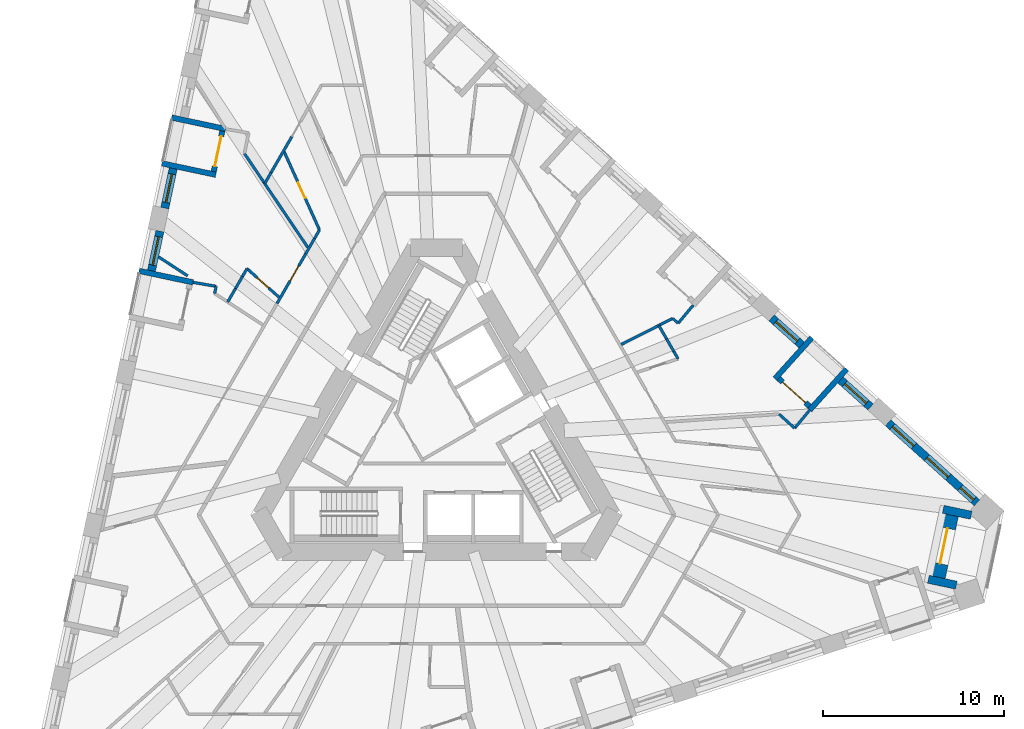
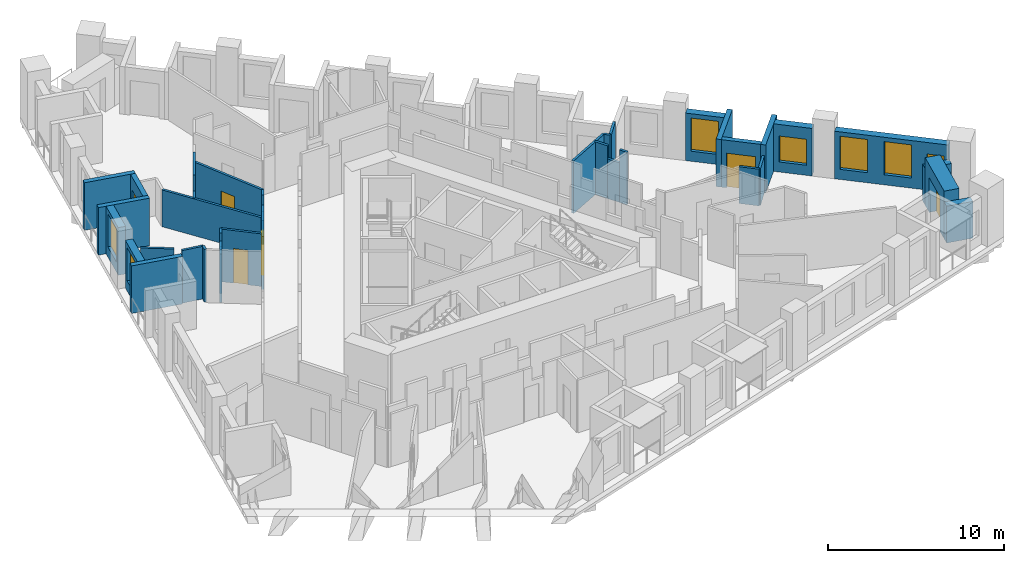
# One storey, part 7 of 13: 37 walls, 7 windows, 6 doors, 13 openings.
"""IFC4 building model written with IfcOpenShell, lengths in metres."""

from ifc_helpers import new_model, si_unit, direction, frame, frame_2d, origin, place, context, subcontext, project, spatial, rectangle, extrude, material, layer, layer_set, type_object, element, fill, save


model = new_model("IFC4")

# Units and contexts
model_context = context("Model", 3, precision=1e-05, world=origin(), true_north=direction((0.0, 1.0)))
body_context = subcontext(model_context, "Body", "Model", "MODEL_VIEW")
ifc_project = project(units=[si_unit("LENGTHUNIT", "METRE"), si_unit("AREAUNIT", "SQUARE_METRE"), si_unit("VOLUMEUNIT", "CUBIC_METRE"), si_unit("PLANEANGLEUNIT", "RADIAN"), si_unit("MASSUNIT", "GRAM", prefix="KILO")], contexts=[model_context])

# Site, building, storey
site_placement = place(None, origin())
site = spatial("IfcSite", under=ifc_project, at=site_placement, CompositionType="ELEMENT")
building_placement = place(site_placement, origin())
building = spatial("IfcBuilding", under=site, at=building_placement, Name="Tramontana Tower", CompositionType="ELEMENT")
storey_placement = place(building_placement, frame((0.0, 0.0, 100.39990234375)))
storey = spatial("IfcBuildingStorey", under=building, at=storey_placement, Name="L22", CompositionType="ELEMENT", Elevation=100.39990234375)

# Wall, opening, window
ifc_material_1 = material(Name="Precast concrete 60 MPa", Category="concrete")
ifc_layer_1 = layer(ifc_material_1, 0.449951171875)
ifc_layer_set_1 = layer_set([ifc_layer_1], Name="Precast concrete 60 MPa, 450 mm")
wall_type_1 = type_object("IfcWallType", Name="EW1 Stone-faced precast wall 450", PredefinedType="SOLIDWALL", material=ifc_layer_set_1)
wall_1_placement = place(storey_placement, frame((-14.545654296875, 14.896728515625, 0.0), z_axis=(0.0, 0.0, 1.0), x_axis=(-0.207941001029, -0.978141370197, 0.0)))
wall_1 = element("IfcWall", 1, at=wall_1_placement, inside=storey, type_object=wall_type_1, Name="External wall L22 face 0 bay 2", PredefinedType="SOLIDWALL", context=body_context, shape_type="SweptSolid", body=[
    extrude(rectangle(XDim=2.236572265625, YDim=0.449951171875, at=frame_2d((1.1181640625, 0.0))), origin(), (0.0, 0.0, 1.0), 3.300048828125),
])
opening_1_placement = place(wall_1_placement, frame((0.318359375, 0.0, 0.699951171875)))
opening_1 = element("IfcOpeningElement", 2, at=opening_1_placement, cuts=wall_1, Name="Opening M1", PredefinedType="OPENING", context=body_context, shape_type="SweptSolid", body=[
    extrude(rectangle(XDim=1.60009765625, YDim=2.300048828125, at=frame_2d((0.800048828125, 1.14990234375))), frame((0.0, 0.23486328125, 0.0), z_axis=(0.0, -1.0, 0.0), x_axis=(1.0, 0.0, 0.0)), (0.0, 0.0, 1.0), 0.469970703125),
])
ifc_material_2 = material(Name="Aluminum frame, double glazing unit", Category="aluminium")
window_type_1 = type_object("IfcWindowType", Name="M1 Window 1.6 x 2.3", PartitioningType="SINGLE_PANEL", PredefinedType="WINDOW", material=ifc_material_2)
window_1_placement = place(opening_1_placement, origin())
window_1 = element("IfcWindow", 3, at=window_1_placement, inside=storey, type_object=window_type_1, Name="Window M1 L22 face 0 module 6", OverallHeight=2.300048828125, OverallWidth=1.60009765625, PartitioningType="SINGLE_PANEL", PredefinedType="WINDOW", context=body_context, shape_type="SweptSolid", body=[
    extrude(rectangle(XDim=1.60009765625, YDim=2.300048828125, at=frame_2d((0.800048828125, 1.14990234375))), frame((0.0, 0.030029296875, 0.0), z_axis=(0.0, -1.0, 0.0), x_axis=(1.0, 0.0, 0.0)), (0.0, 0.0, 1.0), 0.06005859375),
])
fill(opening_1, window_1)

wall_2_placement = place(storey_placement, frame((-15.281005859375, 11.437255859375, 0.0), z_axis=(0.0, 0.0, 1.0), x_axis=(-0.207941001029, -0.978141370197, 0.0)))
wall_2 = element("IfcWall", 4, at=wall_2_placement, inside=storey, type_object=wall_type_1, Name="External wall L22 face 0 bay 3", PredefinedType="SOLIDWALL", context=body_context, shape_type="SweptSolid", body=[
    extrude(rectangle(XDim=2.236572265625, YDim=0.449951171875, at=frame_2d((1.1181640625, 0.0))), origin(), (0.0, 0.0, 1.0), 3.300048828125),
])
opening_2_placement = place(wall_2_placement, frame((0.318359375, 0.0, 0.699951171875)))
opening_2 = element("IfcOpeningElement", 5, at=opening_2_placement, cuts=wall_2, Name="Opening M1", PredefinedType="OPENING", context=body_context, shape_type="SweptSolid", body=[
    extrude(rectangle(XDim=1.60009765625, YDim=2.300048828125, at=frame_2d((0.800048828125, 1.14990234375))), frame((0.0, 0.23486328125, 0.0), z_axis=(0.0, -1.0, 0.0), x_axis=(1.0, 0.0, 0.0)), (0.0, 0.0, 1.0), 0.469970703125),
])
window_2_placement = place(opening_2_placement, origin())
window_2 = element("IfcWindow", 6, at=window_2_placement, inside=storey, type_object=window_type_1, Name="Window M1 L22 face 0 module 7", OverallHeight=2.300048828125, OverallWidth=1.60009765625, PartitioningType="SINGLE_PANEL", PredefinedType="WINDOW", context=body_context, shape_type="SweptSolid", body=[
    extrude(rectangle(XDim=1.60009765625, YDim=2.300048828125, at=frame_2d((0.800048828125, 1.14990234375))), frame((0.0, 0.030029296875, 0.0), z_axis=(0.0, -1.0, 0.0), x_axis=(1.0, 0.0, 0.0)), (0.0, 0.0, 1.0), 0.06005859375),
])
fill(opening_2, window_2)

# Wall, openings, windows
wall_3_placement = place(storey_placement, frame((29.85986328125, -3.57275390625, 0.0), z_axis=(0.0, 0.0, 1.0), x_axis=(-0.743161908204, 0.669111633582, 0.0)))
wall_3 = element("IfcWall", 7, at=wall_3_placement, inside=storey, type_object=wall_type_1, Name="External wall L22 face 2 bay 1", PredefinedType="SOLIDWALL", context=body_context, shape_type="SweptSolid", body=[
    extrude(rectangle(XDim=6.6103515625, YDim=0.449951171875, at=frame_2d((3.30517578125, 0.0))), origin(), (0.0, 0.0, 1.0), 3.300048828125),
])
opening_3_placement = place(wall_3_placement, frame((0.243408203125, 0.0, 0.699951171875)))
opening_3 = element("IfcOpeningElement", 8, at=opening_3_placement, cuts=wall_3, Name="Opening N1L", PredefinedType="OPENING", context=body_context, shape_type="SweptSolid", body=[
    extrude(rectangle(XDim=1.0, YDim=1.800048828125, at=frame_2d((0.5, 0.89990234375))), frame((0.0, 0.23486328125, 0.0), z_axis=(0.0, -1.0, 0.0), x_axis=(1.0, 0.0, 0.0)), (0.0, 0.0, 1.0), 0.469970703125),
])
opening_4_placement = place(wall_3_placement, frame((2.130126953125, 0.0, 0.699951171875)))
opening_4 = element("IfcOpeningElement", 9, at=opening_4_placement, cuts=wall_3, Name="Opening M1", PredefinedType="OPENING", context=body_context, shape_type="SweptSolid", body=[
    extrude(rectangle(XDim=1.60009765625, YDim=2.300048828125, at=frame_2d((0.800048828125, 1.14990234375))), frame((0.0, 0.23486328125, 0.0), z_axis=(0.0, -1.0, 0.0), x_axis=(1.0, 0.0, 0.0)), (0.0, 0.0, 1.0), 0.469970703125),
])
opening_5_placement = place(wall_3_placement, frame((4.69189453125, 0.0, 0.699951171875)))
opening_5 = element("IfcOpeningElement", 10, at=opening_5_placement, cuts=wall_3, Name="Opening M1", PredefinedType="OPENING", context=body_context, shape_type="SweptSolid", body=[
    extrude(rectangle(XDim=1.60009765625, YDim=2.300048828125, at=frame_2d((0.800048828125, 1.14990234375))), frame((0.0, 0.23486328125, 0.0), z_axis=(0.0, -1.0, 0.0), x_axis=(1.0, 0.0, 0.0)), (0.0, 0.0, 1.0), 0.469970703125),
])
window_3_placement = place(opening_4_placement, origin())
window_3 = element("IfcWindow", 11, at=window_3_placement, inside=storey, type_object=window_type_1, Name="Window M1 L22 face 2 module 2", OverallHeight=2.300048828125, OverallWidth=1.60009765625, PartitioningType="SINGLE_PANEL", PredefinedType="WINDOW", context=body_context, shape_type="SweptSolid", body=[
    extrude(rectangle(XDim=1.60009765625, YDim=2.300048828125, at=frame_2d((0.800048828125, 1.14990234375))), frame((0.0, 0.030029296875, 0.0), z_axis=(0.0, -1.0, 0.0), x_axis=(1.0, 0.0, 0.0)), (0.0, 0.0, 1.0), 0.06005859375),
])
fill(opening_4, window_3)
window_4_placement = place(opening_5_placement, origin())
window_4 = element("IfcWindow", 12, at=window_4_placement, inside=storey, type_object=window_type_1, Name="Window M1 L22 face 2 module 3", OverallHeight=2.300048828125, OverallWidth=1.60009765625, PartitioningType="SINGLE_PANEL", PredefinedType="WINDOW", context=body_context, shape_type="SweptSolid", body=[
    extrude(rectangle(XDim=1.60009765625, YDim=2.300048828125, at=frame_2d((0.800048828125, 1.14990234375))), frame((0.0, 0.030029296875, 0.0), z_axis=(0.0, -1.0, 0.0), x_axis=(1.0, 0.0, 0.0)), (0.0, 0.0, 1.0), 0.06005859375),
])
fill(opening_5, window_4)
ifc_material_3 = material(Name="Aluminum frame, double glazing unit", Category="aluminium")
window_type_2 = type_object("IfcWindowType", Name="N1L Window 1 x 1.8", PartitioningType="SINGLE_PANEL", PredefinedType="WINDOW", material=ifc_material_3)
window_5_placement = place(opening_3_placement, origin())
window_5 = element("IfcWindow", 13, at=window_5_placement, inside=storey, type_object=window_type_2, Name="Window N1L L22 face 2 module 1", OverallHeight=1.800048828125, OverallWidth=1.0, PartitioningType="SINGLE_PANEL", PredefinedType="WINDOW", context=body_context, shape_type="SweptSolid", body=[
    extrude(rectangle(XDim=1.0, YDim=1.800048828125, at=frame_2d((0.5, 0.89990234375))), frame((0.0, 0.030029296875, 0.0), z_axis=(0.0, -1.0, 0.0), x_axis=(1.0, 0.0, 0.0)), (0.0, 0.0, 1.0), 0.06005859375),
])
fill(opening_3, window_5)

# Wall, opening, window
wall_4_placement = place(storey_placement, frame((23.981201171875, 1.72021484375, 0.0), z_axis=(0.0, 0.0, 1.0), x_axis=(-0.743142151309, 0.669133576311, 0.0)))
wall_4 = element("IfcWall", 14, at=wall_4_placement, inside=storey, type_object=wall_type_1, Name="External wall L22 face 2 bay 2", PredefinedType="SOLIDWALL", context=body_context, shape_type="SweptSolid", body=[
    extrude(rectangle(XDim=2.236572265625, YDim=0.449951171875, at=frame_2d((1.1181640625, 0.0))), origin(), (0.0, 0.0, 1.0), 3.300048828125),
])
opening_6_placement = place(wall_4_placement, frame((0.318359375, 0.0, 0.699951171875)))
opening_6 = element("IfcOpeningElement", 15, at=opening_6_placement, cuts=wall_4, Name="Opening M1L", PredefinedType="OPENING", context=body_context, shape_type="SweptSolid", body=[
    extrude(rectangle(XDim=1.60009765625, YDim=1.800048828125, at=frame_2d((0.800048828125, 0.89990234375))), frame((0.0, 0.23486328125, 0.0), z_axis=(0.0, -1.0, 0.0), x_axis=(1.0, 0.0, 0.0)), (0.0, 0.0, 1.0), 0.469970703125),
])
ifc_material_4 = material(Name="Aluminum frame, double glazing unit", Category="aluminium")
window_type_3 = type_object("IfcWindowType", Name="M1L Window 1.6 x 1.8", PartitioningType="SINGLE_PANEL", PredefinedType="WINDOW", material=ifc_material_4)
window_6_placement = place(opening_6_placement, origin())
window_6 = element("IfcWindow", 16, at=window_6_placement, inside=storey, type_object=window_type_3, Name="Window M1L L22 face 2 module 4", OverallHeight=1.800048828125, OverallWidth=1.60009765625, PartitioningType="SINGLE_PANEL", PredefinedType="WINDOW", context=body_context, shape_type="SweptSolid", body=[
    extrude(rectangle(XDim=1.60009765625, YDim=1.800048828125, at=frame_2d((0.800048828125, 0.89990234375))), frame((0.0, 0.030029296875, 0.0), z_axis=(0.0, -1.0, 0.0), x_axis=(1.0, 0.0, 0.0)), (0.0, 0.0, 1.0), 0.06005859375),
])
fill(opening_6, window_6)

wall_5_placement = place(storey_placement, frame((20.173828125, 5.1484375, 0.0), z_axis=(0.0, 0.0, 1.0), x_axis=(-0.743136746477, 0.669139578889, 0.0)))
wall_5 = element("IfcWall", 17, at=wall_5_placement, inside=storey, type_object=wall_type_1, Name="External wall L22 face 2 bay 2", PredefinedType="SOLIDWALL", context=body_context, shape_type="SweptSolid", body=[
    extrude(rectangle(XDim=2.237060546875, YDim=0.449951171875, at=frame_2d((1.11865234375, 0.0))), origin(), (0.0, 0.0, 1.0), 3.300048828125),
])
opening_7_placement = place(wall_5_placement, frame((0.318359375, 0.0, 0.699951171875)))
opening_7 = element("IfcOpeningElement", 18, at=opening_7_placement, cuts=wall_5, Name="Opening M1", PredefinedType="OPENING", context=body_context, shape_type="SweptSolid", body=[
    extrude(rectangle(XDim=1.60009765625, YDim=2.300048828125, at=frame_2d((0.800048828125, 1.14990234375))), frame((0.0, 0.23486328125, 0.0), z_axis=(0.0, -1.0, 0.0), x_axis=(1.0, 0.0, 0.0)), (0.0, 0.0, 1.0), 0.469970703125),
])
window_7_placement = place(opening_7_placement, origin())
window_7 = element("IfcWindow", 19, at=window_7_placement, inside=storey, type_object=window_type_1, Name="Window M1 L22 face 2 module 6", OverallHeight=2.300048828125, OverallWidth=1.60009765625, PartitioningType="SINGLE_PANEL", PredefinedType="WINDOW", context=body_context, shape_type="SweptSolid", body=[
    extrude(rectangle(XDim=1.60009765625, YDim=2.300048828125, at=frame_2d((0.800048828125, 1.14990234375))), frame((0.0, 0.030029296875, 0.0), z_axis=(0.0, -1.0, 0.0), x_axis=(1.0, 0.0, 0.0)), (0.0, 0.0, 1.0), 0.06005859375),
])
fill(opening_7, window_7)

# Walls
for number, where, z_axis, x_axis, name in (
    (20, (29.5390625, -4.259521484375, 0.0), (0.0, 0.0, 1.0), (-0.978142738706, 0.207934563547, 0.0), "Corner loggia side wall L22 K22l"),
    (21, (28.7177734375, -8.123291015625, 0.0), (0.0, 0.0, 1.0), (-0.978142738706, 0.207934563547, 0.0), "Corner loggia side wall L22 K22r"),
):
    element("IfcWall", number, at=place(storey_placement, frame(where, z_axis=z_axis, x_axis=x_axis)), inside=storey, type_object=wall_type_1, Name=name, PredefinedType="SOLIDWALL", context=body_context, shape_type="SweptSolid", body=[
        extrude(rectangle(XDim=1.5791015625, YDim=0.449951171875, at=frame_2d((0.78955078125, 0.0))), origin(), (0.0, 0.0, 1.0), 2.550048828125),
    ])

# Wall, opening, door
ifc_material_5 = material(Name="Precast concrete 60 MPa", Category="concrete")
ifc_layer_2 = layer(ifc_material_5, 0.89990234375)
ifc_layer_set_2 = layer_set([ifc_layer_2], Name="EW2 Stone-faced corner loggia wall 900")
wall_type_2 = type_object("IfcWallType", Name="EW2 Stone-faced corner loggia wall 900", PredefinedType="SOLIDWALL", material=ifc_layer_set_2)
wall_6_placement = place(storey_placement, frame((28.3876953125, -4.244873046875, 0.0), z_axis=(0.0, 0.0, 1.0), x_axis=(-0.207866264069, -0.978157255385, 0.0)))
wall_6 = element("IfcWall", 22, at=wall_6_placement, inside=storey, type_object=wall_type_2, Name="Corner loggia wall L22 K22", PredefinedType="SOLIDWALL", context=body_context, shape_type="SweptSolid", body=[
    extrude(rectangle(XDim=3.5, YDim=0.89990234375, at=frame_2d((1.75, 0.0))), origin(), (0.0, 0.0, 1.0), 3.300048828125),
])
opening_8_placement = place(wall_6_placement, frame((0.75, 0.0, 0.0)))
opening_8 = element("IfcOpeningElement", 23, at=opening_8_placement, cuts=wall_6, Name="Opening BD-22C", PredefinedType="OPENING", context=body_context, shape_type="SweptSolid", body=[
    extrude(rectangle(XDim=2.0, YDim=2.39990234375, at=frame_2d((1.0, 1.199951171875))), frame((0.0, 0.4599609375, 0.0), z_axis=(0.0, -1.0, 0.0), x_axis=(1.0, 0.0, 0.0)), (0.0, 0.0, 1.0), 0.919921875),
])
ifc_material_6 = material(Name="Aluminum frame, double glazing unit", Category="aluminium")
door_type_1 = type_object("IfcDoorType", Name="BC1 Sliding door 2 x 2.4", OperationType="SLIDING_TO_LEFT", PredefinedType="DOOR", material=ifc_material_6)
door_1_placement = place(opening_8_placement, origin())
door_1 = element("IfcDoor", 24, at=door_1_placement, inside=storey, type_object=door_type_1, Name="Corner loggia door L22 K22", OperationType="SLIDING_TO_LEFT", OverallHeight=2.39990234375, OverallWidth=2.0, PredefinedType="DOOR", context=body_context, shape_type="SweptSolid", body=[
    extrude(rectangle(XDim=2.0, YDim=2.39990234375, at=frame_2d((1.0, 1.199951171875))), frame((0.0, 0.02490234375, 0.0), z_axis=(0.0, -1.0, 0.0), x_axis=(1.0, 0.0, 0.0)), (0.0, 0.0, 1.0), 0.050048828125),
])
fill(opening_8, door_1)

ifc_material_7 = material(Name="Precast concrete 60 MPa", Category="concrete")
ifc_layer_3 = layer(ifc_material_7, 0.300048828125)
ifc_layer_set_3 = layer_set([ifc_layer_3], Name="LW1 Stone-faced loggia wall 300")
wall_type_3 = type_object("IfcWallType", Name="LW1 Stone-faced loggia wall 300", PredefinedType="SOLIDWALL", material=ifc_layer_set_3)
wall_7_placement = place(storey_placement, frame((-11.83154296875, 16.96435546875, 0.0), z_axis=(0.0, 0.0, 1.0), x_axis=(-0.207866417042, -0.978157222877, 0.0)))
wall_7 = element("IfcWall", 25, at=wall_7_placement, inside=storey, type_object=wall_type_3, Name="Loggia wall L22 G2S0.4", PredefinedType="SOLIDWALL", context=body_context, shape_type="SweptSolid", body=[
    extrude(rectangle(XDim=2.286865234375, YDim=0.300048828125, at=frame_2d((1.1435546875, 0.0))), origin(), (0.0, 0.0, 1.0), 3.300048828125),
])
opening_9_placement = place(wall_7_placement, frame((0.29345703125, 0.0, 0.0)))
opening_9 = element("IfcOpeningElement", 26, at=opening_9_placement, cuts=wall_7, Name="Opening BD-2S0-04", PredefinedType="OPENING", context=body_context, shape_type="SweptSolid", body=[
    extrude(rectangle(XDim=1.699951171875, YDim=2.39990234375, at=frame_2d((0.85009765625, 1.199951171875))), frame((0.0, 0.159912109375, 0.0), z_axis=(0.0, -1.0, 0.0), x_axis=(1.0, 0.0, 0.0)), (0.0, 0.0, 1.0), 0.320068359375),
])
ifc_material_8 = material(Name="Aluminum frame, double glazing unit", Category="aluminium")
door_type_2 = type_object("IfcDoorType", Name="BD1 Sliding door 1.7 x 2.4", OperationType="SLIDING_TO_LEFT", PredefinedType="DOOR", material=ifc_material_8)
door_2_placement = place(opening_9_placement, origin())
door_2 = element("IfcDoor", 27, at=door_2_placement, inside=storey, type_object=door_type_2, Name="Loggia door L22 G2S0.4", OperationType="SLIDING_TO_LEFT", OverallHeight=2.39990234375, OverallWidth=1.699951171875, PredefinedType="DOOR", context=body_context, shape_type="SweptSolid", body=[
    extrude(rectangle(XDim=1.699951171875, YDim=2.39990234375, at=frame_2d((0.85009765625, 1.199951171875))), frame((0.0, 0.02490234375, 0.0), z_axis=(0.0, -1.0, 0.0), x_axis=(1.0, 0.0, 0.0)), (0.0, 0.0, 1.0), 0.050048828125),
])
fill(opening_9, door_2)

# Walls
for number, where, z_axis, x_axis, name in (
    (28, (-14.636962890625, 17.714111328125, 0.0), (0.0, 0.0, 1.0), (0.978138503145, -0.207954487003, 0.0), "Loggia return L22 G2S0.4a"),
    (29, (-15.1748046875, 15.183837890625, 0.0), (0.0, 0.0, 1.0), (0.978138503145, -0.207954487003, 0.0), "Loggia return L22 G2S0.4b"),
    (30, (-16.4375, 9.242919921875, 0.0), (0.0, 0.0, 1.0), (0.978154782045, -0.207877902534, 0.0), "Loggia return L22 G2S0.7a"),
):
    element("IfcWall", number, at=place(storey_placement, frame(where, z_axis=z_axis, x_axis=x_axis)), inside=storey, type_object=wall_type_3, Name=name, PredefinedType="SOLIDWALL", context=body_context, shape_type="SweptSolid", body=[
        extrude(rectangle(XDim=3.050048828125, YDim=0.300048828125, at=frame_2d((1.52490234375, 0.0))), origin(), (0.0, 0.0, 1.0), 3.300048828125),
    ])

# Wall, opening, door
wall_8_placement = place(storey_placement, frame((20.607421875, 1.76416015625, 0.0), z_axis=(0.0, 0.0, 1.0), x_axis=(-0.743182653308, 0.669088591909, 0.0)))
wall_8 = element("IfcWall", 31, at=wall_8_placement, inside=storey, type_object=wall_type_3, Name="Loggia wall L22 G2S2.4", PredefinedType="SOLIDWALL", context=body_context, shape_type="SweptSolid", body=[
    extrude(rectangle(XDim=2.28662109375, YDim=0.300048828125, at=frame_2d((1.143310546875, 0.0))), origin(), (0.0, 0.0, 1.0), 3.300048828125),
])
opening_10_placement = place(wall_8_placement, frame((0.29345703125, 0.0, 0.0)))
opening_10 = element("IfcOpeningElement", 32, at=opening_10_placement, cuts=wall_8, Name="Opening BD-2S2-04", PredefinedType="OPENING", context=body_context, shape_type="SweptSolid", body=[
    extrude(rectangle(XDim=1.699951171875, YDim=2.39990234375, at=frame_2d((0.85009765625, 1.199951171875))), frame((0.0, 0.159912109375, 0.0), z_axis=(0.0, -1.0, 0.0), x_axis=(1.0, 0.0, 0.0)), (0.0, 0.0, 1.0), 0.320068359375),
])
door_3_placement = place(opening_10_placement, origin())
door_3 = element("IfcDoor", 33, at=door_3_placement, inside=storey, type_object=door_type_2, Name="Loggia door L22 G2S2.4", OperationType="SLIDING_TO_LEFT", OverallHeight=2.39990234375, OverallWidth=1.699951171875, PredefinedType="DOOR", context=body_context, shape_type="SweptSolid", body=[
    extrude(rectangle(XDim=1.699951171875, YDim=2.39990234375, at=frame_2d((0.85009765625, 1.199951171875))), frame((0.0, 0.02490234375, 0.0), z_axis=(0.0, -1.0, 0.0), x_axis=(1.0, 0.0, 0.0)), (0.0, 0.0, 1.0), 0.050048828125),
])
fill(opening_10, door_3)

# Walls
for number, where, z_axis, x_axis, name in (
    (34, (22.6591796875, 3.81884765625, 0.0), (0.0, 0.0, 1.0), (-0.669115082961, -0.743158802514, 0.0), "Loggia return L22 G2S2.4a"),
    (35, (20.73681640625, 5.5498046875, 0.0), (0.0, 0.0, 1.0), (-0.669115082961, -0.743158802514, 0.0), "Loggia return L22 G2S2.4b"),
):
    element("IfcWall", number, at=place(storey_placement, frame(where, z_axis=z_axis, x_axis=x_axis)), inside=storey, type_object=wall_type_3, Name=name, PredefinedType="SOLIDWALL", context=body_context, shape_type="SweptSolid", body=[
        extrude(rectangle(XDim=3.050048828125, YDim=0.300048828125, at=frame_2d((1.52490234375, 0.0))), origin(), (0.0, 0.0, 1.0), 3.300048828125),
    ])

# Wall, opening, door
ifc_material_9 = material(Name="Gypsum board partition")
ifc_layer_4 = layer(ifc_material_9, 0.14990234375)
ifc_layer_set_4 = layer_set([ifc_layer_4], Name="PARTITION 150")
wall_type_4 = type_object("IfcWallType", Name="PARTITION 150", PredefinedType="PARTITIONING", material=ifc_layer_set_4)
wall_9_placement = place(storey_placement, frame((-8.809326171875, 7.44189453125, 0.0), z_axis=(0.0, 0.0, 1.0), x_axis=(0.500003371769, 0.866023457084, 0.0)))
wall_9 = element("IfcWall", 36, at=wall_9_placement, inside=storey, type_object=wall_type_4, Name="Wall v21-pw02-5", PredefinedType="PARTITIONING", context=body_context, shape_type="SweptSolid", body=[
    extrude(rectangle(XDim=3.15966796875, YDim=0.14990234375, at=frame_2d((1.579833984375, 0.0))), origin(), (0.0, 0.0, 1.0), 3.650146484375),
])
opening_11_placement = place(wall_9_placement, frame((1.43994140625, 0.0, 0.0)))
opening_11 = element("IfcOpeningElement", 37, at=opening_11_placement, cuts=wall_9, Name="Opening B2B-06", PredefinedType="OPENING", context=body_context, shape_type="SweptSolid", body=[
    extrude(rectangle(XDim=0.949951171875, YDim=2.39990234375, at=frame_2d((0.47509765625, 1.199951171875))), frame((0.0, 0.0849609375, 0.0), z_axis=(0.0, -1.0, 0.0), x_axis=(1.0, 0.0, 0.0)), (0.0, 0.0, 1.0), 0.169921875),
])
ifc_material_10 = material(Name="Painted timber", Category="wood")
door_type_3 = type_object("IfcDoorType", Name="DOOR ROOM 950", OperationType="SINGLE_SWING_LEFT", PredefinedType="DOOR", material=ifc_material_10)
door_4_placement = place(opening_11_placement, origin())
door_4 = element("IfcDoor", 38, at=door_4_placement, inside=storey, type_object=door_type_3, Name="Door B2B-06", OperationType="SINGLE_SWING_RIGHT", OverallHeight=2.39990234375, OverallWidth=0.949951171875, PredefinedType="DOOR", context=body_context, shape_type="SweptSolid", body=[
    extrude(rectangle(XDim=0.949951171875, YDim=2.39990234375, at=frame_2d((0.47509765625, 1.199951171875))), frame((0.0, 0.02490234375, 0.0), z_axis=(0.0, -1.0, 0.0), x_axis=(1.0, 0.0, 0.0)), (0.0, 0.0, 1.0), 0.050048828125),
])
fill(opening_11, door_4)

# Walls
wall_10_placement = place(storey_placement, frame((-7.2294921875, 10.17822265625, 0.0), z_axis=(0.0, 0.0, 1.0), x_axis=(0.500082280366, 0.865977893981, 0.0)))
element("IfcWall", 39, at=wall_10_placement, inside=storey, type_object=wall_type_4, Name="Wall v21-pw02-6", PredefinedType="PARTITIONING", context=body_context, shape_type="SweptSolid", body=[
    extrude(rectangle(XDim=0.978759765625, YDim=0.14990234375, at=frame_2d((0.4892578125, 0.0))), origin(), (0.0, 0.0, 1.0), 2.550048828125),
])
wall_11_placement = place(storey_placement, frame((-6.739990234375, 11.02587890625, 0.0), z_axis=(0.0, 0.0, 1.0), x_axis=(0.499990325971, 0.866030989016, 0.0)))
element("IfcWall", 40, at=wall_11_placement, inside=storey, type_object=wall_type_4, Name="Wall v21-pw02-7", PredefinedType="PARTITIONING", context=body_context, shape_type="SweptSolid", body=[
    extrude(rectangle(XDim=0.55224609375, YDim=0.14990234375, at=frame_2d((0.276123046875, 0.0))), origin(), (0.0, 0.0, 1.0), 3.650146484375),
])
wall_12_placement = place(storey_placement, frame((-13.74853515625, 8.968017578125, 0.0), z_axis=(0.0, 0.0, 1.0), x_axis=(-0.837595386073, 0.546291103011, 0.0)))
element("IfcWall", 41, at=wall_12_placement, inside=storey, type_object=wall_type_4, Name="Wall v21-pw04", PredefinedType="PARTITIONING", context=body_context, shape_type="SweptSolid", body=[
    extrude(rectangle(XDim=1.915771484375, YDim=0.14990234375, at=frame_2d((0.9580078125, 0.0))), origin(), (0.0, 0.0, 1.0), 3.650146484375),
])
wall_13_placement = place(storey_placement, frame((-12.255615234375, 7.994140625, 0.0), z_axis=(0.0, 0.0, 1.0), x_axis=(0.207946274886, 0.978140249024, 0.0)))
element("IfcWall", 42, at=wall_13_placement, inside=storey, type_object=wall_type_4, Name="Wall v21-pw07", PredefinedType="PARTITIONING", context=body_context, shape_type="SweptSolid", body=[
    extrude(rectangle(XDim=0.400390625, YDim=0.14990234375, at=frame_2d((0.2001953125, 0.0))), origin(), (0.0, 0.0, 1.0), 3.650146484375),
])
wall_14_placement = place(storey_placement, frame((-12.173828125, 8.38818359375, 0.0), z_axis=(0.0, 0.0, 1.0), x_axis=(-0.985464455429, 0.169881744414, 0.0)))
element("IfcWall", 43, at=wall_14_placement, inside=storey, type_object=wall_type_4, Name="Wall v21-pw08", PredefinedType="PARTITIONING", context=body_context, shape_type="SweptSolid", body=[
    extrude(rectangle(XDim=1.299072265625, YDim=0.14990234375, at=frame_2d((0.6494140625, 0.0))), origin(), (0.0, 0.0, 1.0), 3.650146484375),
])
wall_15_placement = place(storey_placement, frame((-11.53271484375, 7.52490234375, 0.0), z_axis=(0.0, 0.0, 1.0), x_axis=(0.500068347527, 0.865985939725, 0.0)))
element("IfcWall", 44, at=wall_15_placement, inside=storey, type_object=wall_type_4, Name="Wall v21-pw11-0", PredefinedType="PARTITIONING", context=body_context, shape_type="SweptSolid", body=[
    extrude(rectangle(XDim=0.85546875, YDim=0.14990234375, at=frame_2d((0.427734375, 0.0))), origin(), (0.0, 0.0, 1.0), 3.650146484375),
])
wall_16_placement = place(storey_placement, frame((-11.10498046875, 8.265625, 0.0), z_axis=(0.0, 0.0, 1.0), x_axis=(0.500028278809, 0.866009076391, 0.0)))
element("IfcWall", 45, at=wall_16_placement, inside=storey, type_object=wall_type_4, Name="Wall v21-pw11-1", PredefinedType="PARTITIONING", context=body_context, shape_type="SweptSolid", body=[
    extrude(rectangle(XDim=0.783203125, YDim=0.14990234375, at=frame_2d((0.3916015625, 0.0))), origin(), (0.0, 0.0, 1.0), 2.75),
])
wall_17_placement = place(storey_placement, frame((-10.71337890625, 8.94384765625, 0.0), z_axis=(0.0, 0.0, 1.0), x_axis=(0.500095379624, 0.865970329329, 0.0)))
element("IfcWall", 46, at=wall_17_placement, inside=storey, type_object=wall_type_4, Name="Wall v21-pw11-2", PredefinedType="PARTITIONING", context=body_context, shape_type="SweptSolid", body=[
    extrude(rectangle(XDim=0.4912109375, YDim=0.14990234375, at=frame_2d((0.24560546875, 0.0))), origin(), (0.0, 0.0, 1.0), 3.650146484375),
])

# Wall, opening, door
wall_18_placement = place(storey_placement, frame((-8.69775390625, 7.784912109375, 0.0), z_axis=(0.0, 0.0, 1.0), x_axis=(-0.745131095097, 0.666918024288, 0.0)))
wall_18 = element("IfcWall", 47, at=wall_18_placement, inside=storey, type_object=wall_type_4, Name="Wall v21-pw14", PredefinedType="PARTITIONING", context=body_context, shape_type="SweptSolid", body=[
    extrude(rectangle(XDim=2.37548828125, YDim=0.14990234375, at=frame_2d((1.187744140625, 0.0))), origin(), (0.0, 0.0, 1.0), 3.650146484375),
])
opening_12_placement = place(wall_18_placement, frame((0.7626953125, 0.0, 0.0)))
opening_12 = element("IfcOpeningElement", 48, at=opening_12_placement, cuts=wall_18, Name="Opening B2B-09", PredefinedType="OPENING", context=body_context, shape_type="SweptSolid", body=[
    extrude(rectangle(XDim=0.85009765625, YDim=2.39990234375, at=frame_2d((0.425048828125, 1.199951171875))), frame((0.0, 0.0849609375, 0.0), z_axis=(0.0, -1.0, 0.0), x_axis=(1.0, 0.0, 0.0)), (0.0, 0.0, 1.0), 0.169921875),
])
ifc_material_11 = material(Name="Painted timber", Category="wood")
door_type_4 = type_object("IfcDoorType", Name="DOOR BATH 850", OperationType="SINGLE_SWING_LEFT", PredefinedType="DOOR", material=ifc_material_11)
door_5_placement = place(opening_12_placement, origin())
door_5 = element("IfcDoor", 49, at=door_5_placement, inside=storey, type_object=door_type_4, Name="Door B2B-09", OperationType="SINGLE_SWING_LEFT", OverallHeight=2.39990234375, OverallWidth=0.85009765625, PredefinedType="DOOR", context=body_context, shape_type="SweptSolid", body=[
    extrude(rectangle(XDim=0.85009765625, YDim=2.39990234375, at=frame_2d((0.425048828125, 1.199951171875))), frame((0.0, 0.02490234375, 0.0), z_axis=(0.0, -1.0, 0.0), x_axis=(1.0, 0.0, 0.0)), (0.0, 0.0, 1.0), 0.050048828125),
])
fill(opening_12, door_5)

# Walls
wall_19_placement = place(storey_placement, frame((-9.4873046875, 14.0673828125, 0.0), z_axis=(0.0, 0.0, 1.0), x_axis=(0.499844169366, 0.866115353951, 0.0)))
element("IfcWall", 50, at=wall_19_placement, inside=storey, type_object=wall_type_4, Name="Wall v21-pw18-0", PredefinedType="PARTITIONING", context=body_context, shape_type="SweptSolid", body=[
    extrude(rectangle(XDim=0.694580078125, YDim=0.14990234375, at=frame_2d((0.34716796875, 0.0))), origin(), (0.0, 0.0, 1.0), 2.550048828125),
])
wall_20_placement = place(storey_placement, frame((-9.14013671875, 14.6689453125, 0.0), z_axis=(0.0, 0.0, 1.0), x_axis=(0.500030411023, 0.86600784526, 0.0)))
element("IfcWall", 51, at=wall_20_placement, inside=storey, type_object=wall_type_4, Name="Wall v21-pw18-1", PredefinedType="PARTITIONING", context=body_context, shape_type="SweptSolid", body=[
    extrude(rectangle(XDim=2.287353515625, YDim=0.14990234375, at=frame_2d((1.1435546875, 0.0))), origin(), (0.0, 0.0, 1.0), 3.650146484375),
])
wall_21_placement = place(storey_placement, frame((-7.10888671875, 10.536865234375, 0.0), z_axis=(0.0, 0.0, 1.0), x_axis=(-0.559306796717, 0.828960739207, 0.0)))
element("IfcWall", 52, at=wall_21_placement, inside=storey, type_object=wall_type_4, Name="Wall v21-pw23-0", PredefinedType="PARTITIONING", context=body_context, shape_type="SweptSolid", body=[
    extrude(rectangle(XDim=6.262451171875, YDim=0.14990234375, at=frame_2d((3.13134765625, 0.0))), origin(), (0.0, 0.0, 1.0), 2.550048828125),
])

# Wall, opening, door
wall_22_placement = place(storey_placement, frame((-6.4638671875, 11.506103515625, 0.0), z_axis=(0.0, 0.0, 1.0), x_axis=(-0.411930406863, 0.911215309299, 0.0)))
wall_22 = element("IfcWall", 53, at=wall_22_placement, inside=storey, type_object=wall_type_4, Name="Wall v21-pw26", PredefinedType="PARTITIONING", context=body_context, shape_type="SweptSolid", body=[
    extrude(rectangle(XDim=4.7958984375, YDim=0.14990234375, at=frame_2d((2.39794921875, 0.0))), origin(), (0.0, 0.0, 1.0), 3.650146484375),
])
opening_13_placement = place(wall_22_placement, frame((1.923095703125, 0.0, 0.0)))
opening_13 = element("IfcOpeningElement", 54, at=opening_13_placement, cuts=wall_22, Name="Opening B2B-01", PredefinedType="OPENING", context=body_context, shape_type="SweptSolid", body=[
    extrude(rectangle(XDim=0.949951171875, YDim=2.39990234375, at=frame_2d((0.47509765625, 1.199951171875))), frame((0.0, 0.0849609375, 0.0), z_axis=(0.0, -1.0, 0.0), x_axis=(1.0, 0.0, 0.0)), (0.0, 0.0, 1.0), 0.169921875),
])
door_6_placement = place(opening_13_placement, origin())
door_6 = element("IfcDoor", 55, at=door_6_placement, inside=storey, type_object=door_type_3, Name="Door B2B-01", OperationType="SINGLE_SWING_LEFT", OverallHeight=2.39990234375, OverallWidth=0.949951171875, PredefinedType="DOOR", context=body_context, shape_type="SweptSolid", body=[
    extrude(rectangle(XDim=0.949951171875, YDim=2.39990234375, at=frame_2d((0.47509765625, 1.199951171875))), frame((0.0, 0.02490234375, 0.0), z_axis=(0.0, -1.0, 0.0), x_axis=(1.0, 0.0, 0.0)), (0.0, 0.0, 1.0), 0.050048828125),
])
fill(opening_13, door_6)

# Walls
wall_23_placement = place(storey_placement, frame((10.205322265625, 5.173828125, 0.0), z_axis=(0.0, 0.0, 1.0), x_axis=(0.891918503976, 0.452196176748, 0.0)))
element("IfcWall", 56, at=wall_23_placement, inside=storey, type_object=wall_type_4, Name="Wall v21-pw43", PredefinedType="PARTITIONING", context=body_context, shape_type="SweptSolid", body=[
    extrude(rectangle(XDim=3.190185546875, YDim=0.14990234375, at=frame_2d((1.59521484375, 0.0))), origin(), (0.0, 0.0, 1.0), 3.650146484375),
])
wall_24_placement = place(storey_placement, frame((12.28369140625, 6.22412109375, 0.0), z_axis=(0.0, 0.0, 1.0), x_axis=(0.499920397431, -0.866071357471, 0.0)))
element("IfcWall", 57, at=wall_24_placement, inside=storey, type_object=wall_type_4, Name="Wall v21-pw45-0", PredefinedType="PARTITIONING", context=body_context, shape_type="SweptSolid", body=[
    extrude(rectangle(XDim=0.854248046875, YDim=0.14990234375, at=frame_2d((0.42724609375, 0.0))), origin(), (0.0, 0.0, 1.0), 3.650146484375),
])
wall_25_placement = place(storey_placement, frame((12.710693359375, 5.484375, 0.0), z_axis=(0.0, 0.0, 1.0), x_axis=(0.500028278809, -0.866009076391, 0.0)))
element("IfcWall", 58, at=wall_25_placement, inside=storey, type_object=wall_type_4, Name="Wall v21-pw45-1", PredefinedType="PARTITIONING", context=body_context, shape_type="SweptSolid", body=[
    extrude(rectangle(XDim=0.783203125, YDim=0.14990234375, at=frame_2d((0.3916015625, 0.0))), origin(), (0.0, 0.0, 1.0), 2.75),
])
wall_26_placement = place(storey_placement, frame((13.102294921875, 4.80615234375, 0.0), z_axis=(0.0, 0.0, 1.0), x_axis=(0.500095379624, -0.865970329329, 0.0)))
element("IfcWall", 59, at=wall_26_placement, inside=storey, type_object=wall_type_4, Name="Wall v21-pw45-2", PredefinedType="PARTITIONING", context=body_context, shape_type="SweptSolid", body=[
    extrude(rectangle(XDim=0.4912109375, YDim=0.14990234375, at=frame_2d((0.24560546875, 0.0))), origin(), (0.0, 0.0, 1.0), 3.650146484375),
])
wall_27_placement = place(storey_placement, frame((13.051025390625, 6.616455078125, 0.0), z_axis=(0.0, 0.0, 1.0), x_axis=(0.74305142208, -0.669234326783, 0.0)))
element("IfcWall", 60, at=wall_27_placement, inside=storey, type_object=wall_type_4, Name="Wall v21-pw47", PredefinedType="PARTITIONING", context=body_context, shape_type="SweptSolid", body=[
    extrude(rectangle(XDim=0.400146484375, YDim=0.14990234375, at=frame_2d((0.2001953125, 0.0))), origin(), (0.0, 0.0, 1.0), 3.650146484375),
])
wall_28_placement = place(storey_placement, frame((13.351318359375, 6.348876953125, 0.0), z_axis=(0.0, 0.0, 1.0), x_axis=(0.639907081841, 0.768452292995, 0.0)))
element("IfcWall", 61, at=wall_28_placement, inside=storey, type_object=wall_type_4, Name="Wall v21-pw50", PredefinedType="PARTITIONING", context=body_context, shape_type="SweptSolid", body=[
    extrude(rectangle(XDim=1.299072265625, YDim=0.14990234375, at=frame_2d((0.6494140625, 0.0))), origin(), (0.0, 0.0, 1.0), 3.650146484375),
])
wall_29_placement = place(storey_placement, frame((18.927001953125, 1.32568359375, 0.0), z_axis=(0.0, 0.0, 1.0), x_axis=(0.743073109926, -0.669210245966, 0.0)))
element("IfcWall", 62, at=wall_29_placement, inside=storey, type_object=wall_type_4, Name="Wall v21-pw57-0", PredefinedType="PARTITIONING", context=body_context, shape_type="SweptSolid", body=[
    extrude(rectangle(XDim=1.153564453125, YDim=0.14990234375, at=frame_2d((0.57666015625, 0.0))), origin(), (0.0, 0.0, 1.0), 2.550048828125),
])
wall_30_placement = place(storey_placement, frame((19.787109375, 0.553955078125, 0.0), z_axis=(0.0, 0.0, 1.0), x_axis=(0.639907081841, 0.768452292995, 0.0)))
element("IfcWall", 63, at=wall_30_placement, inside=storey, type_object=wall_type_4, Name="Wall v21-pw59-0", PredefinedType="PARTITIONING", context=body_context, shape_type="SweptSolid", body=[
    extrude(rectangle(XDim=1.299072265625, YDim=0.14990234375, at=frame_2d((0.6494140625, 0.0))), origin(), (0.0, 0.0, 1.0), 2.550048828125),
])

save(model, "model.ifc")
